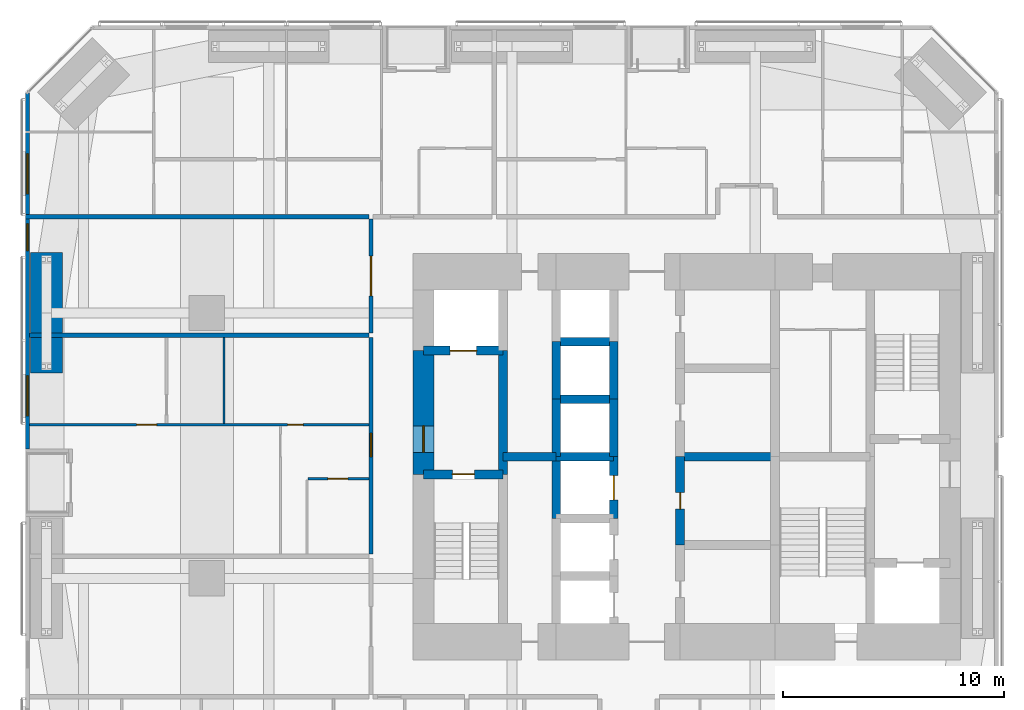
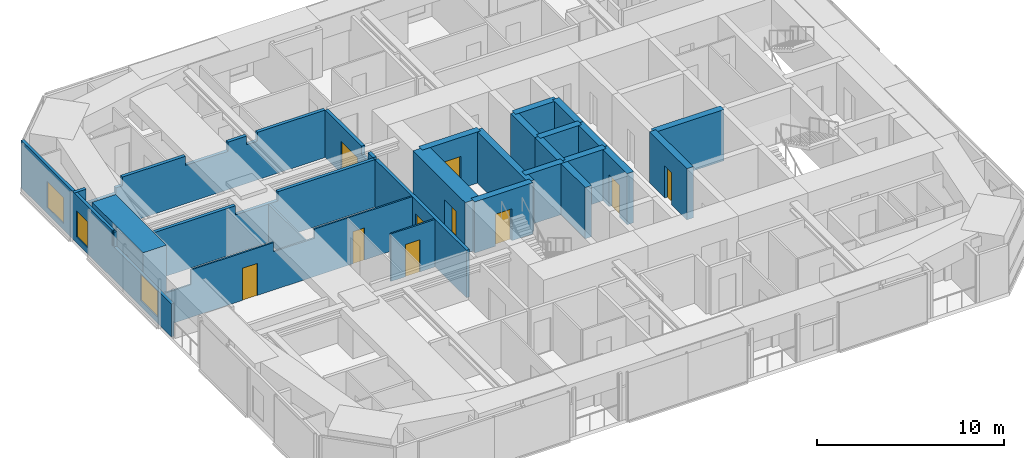
# One storey, part 18 of 23: 25 walls, 10 doors, 3 windows, 13 openings.
"""IFC4 building model written with IfcOpenShell, lengths in metres."""

from ifc_helpers import new_model, si_unit, direction, frame, frame_2d, origin, place, context, subcontext, project, spatial, polyline, rectangle, outline, extrude, material, layer, layer_set, constituent, constituent_set, type_object, element, fill, save


model = new_model("IFC4")

# Units and contexts
model_context = context("Model", 3, precision=1e-05, world=origin(), true_north=direction((0.0, 1.0)))
body_context = subcontext(model_context, "Body", "Model", "MODEL_VIEW")
ifc_project = project(units=[si_unit("LENGTHUNIT", "METRE"), si_unit("AREAUNIT", "SQUARE_METRE"), si_unit("VOLUMEUNIT", "CUBIC_METRE"), si_unit("PLANEANGLEUNIT", "RADIAN"), si_unit("MASSUNIT", "GRAM", prefix="KILO")], contexts=[model_context])

# Site, building, storey
site_placement = place(None, origin())
site = spatial("IfcSite", under=ifc_project, at=site_placement, CompositionType="ELEMENT")
building_placement = place(site_placement, origin())
building = spatial("IfcBuilding", under=site, at=building_placement, Name="Jalousie Tower", CompositionType="ELEMENT")
storey_placement = place(building_placement, frame((0.0, 0.0, 34.39990234375)))
storey = spatial("IfcBuildingStorey", under=building, at=storey_placement, Name="L08", CompositionType="ELEMENT", Elevation=34.39990234375)

# Walls
ifc_material_1 = material(Name="Concrete f'c 120 MPa", Category="concrete")
ifc_layer_1 = layer(ifc_material_1, 0.39990234375)
ifc_layer_set_1 = layer_set([ifc_layer_1], Name="Concrete f'c 120 MPa")
wall_type_1 = type_object("IfcWallType", Name="CORE WALL 400", PredefinedType="SHEAR", material=ifc_layer_set_1)
wall_1_placement = place(storey_placement, frame((23.60009765625, 17.699951171875, 0.0), z_axis=(0.0, 0.0, 1.0), x_axis=(0.0, 1.0, 0.0)))
element("IfcWall", 1, at=wall_1_placement, inside=storey, type_object=wall_type_1, Name="Core wall X23.6B L08", PredefinedType="SHEAR", context=body_context, shape_type="SweptSolid", body=[
    extrude(rectangle(XDim=5.60009765625, YDim=0.39990234375, at=frame_2d((2.800048828125, 0.0))), origin(), (0.0, 0.0, 1.0), 3.35009765625),
])
wall_2_placement = place(storey_placement, frame((26.0, 15.699951171875, 0.0), z_axis=(0.0, 0.0, 1.0), x_axis=(0.0, 1.0, 0.0)))
element("IfcWall", 2, at=wall_2_placement, inside=storey, type_object=wall_type_1, Name="Core wall X26C L08", PredefinedType="SHEAR", context=body_context, shape_type="SweptSolid", body=[
    extrude(rectangle(XDim=2.800048828125, YDim=0.39990234375, at=frame_2d((1.39990234375, 0.0))), origin(), (0.0, 0.0, 1.0), 3.35009765625),
])
wall_3_placement = place(storey_placement, frame((26.0, 18.5, 0.0), z_axis=(0.0, 0.0, 1.0), x_axis=(0.0, 1.0, 0.0)))
element("IfcWall", 3, at=wall_3_placement, inside=storey, type_object=wall_type_1, Name="Core wall X26D L08", PredefinedType="SHEAR", context=body_context, shape_type="SweptSolid", body=[
    extrude(rectangle(XDim=2.60009765625, YDim=0.39990234375, at=frame_2d((1.300048828125, 0.0))), origin(), (0.0, 0.0, 1.0), 3.35009765625),
])
wall_4_placement = place(storey_placement, frame((26.0, 21.10009765625, 0.0), z_axis=(0.0, 0.0, 1.0), x_axis=(0.0, 1.0, 0.0)))
element("IfcWall", 4, at=wall_4_placement, inside=storey, type_object=wall_type_1, Name="Core wall X26E L08", PredefinedType="SHEAR", context=body_context, shape_type="SweptSolid", body=[
    extrude(rectangle(XDim=2.599853515625, YDim=0.39990234375, at=frame_2d((1.2998046875, 0.0))), origin(), (0.0, 0.0, 1.0), 3.35009765625),
])

# Wall, opening, door
wall_5_placement = place(storey_placement, frame((28.60009765625, 15.699951171875, 0.0), z_axis=(0.0, 0.0, 1.0), x_axis=(0.0, 1.0, 0.0)))
wall_5 = element("IfcWall", 5, at=wall_5_placement, inside=storey, type_object=wall_type_1, Name="Core wall X28.6C L08", PredefinedType="SHEAR", context=body_context, shape_type="SweptSolid", body=[
    extrude(rectangle(XDim=2.800048828125, YDim=0.39990234375, at=frame_2d((1.39990234375, 0.0))), origin(), (0.0, 0.0, 1.0), 3.35009765625),
])
opening_1_placement = place(wall_5_placement, frame((0.85009765625, 0.0, 0.0)))
opening_1 = element("IfcOpeningElement", 6, at=opening_1_placement, cuts=wall_5, Name="Opening LD1", PredefinedType="OPENING", context=body_context, shape_type="SweptSolid", body=[
    extrude(rectangle(XDim=1.10009765625, YDim=2.10009765625, at=frame_2d((0.550048828125, 1.050048828125))), frame((0.0, 0.2099609375, 0.0), z_axis=(0.0, -1.0, 0.0), x_axis=(1.0, 0.0, 0.0)), (0.0, 0.0, 1.0), 0.419921875),
])
ifc_material_2 = material(Name="Steel lift landing door", Category="steel")
door_type_1 = type_object("IfcDoorType", Name="LIFT LANDING DOOR 1100", OperationType="SLIDING_TO_LEFT", PredefinedType="DOOR", material=ifc_material_2)
door_1_placement = place(opening_1_placement, origin())
door_1 = element("IfcDoor", 7, at=door_1_placement, inside=storey, type_object=door_type_1, Name="Lift P3 landing door", OperationType="SLIDING_TO_LEFT", OverallHeight=2.10009765625, OverallWidth=1.10009765625, PredefinedType="DOOR", context=body_context, shape_type="SweptSolid", body=[
    extrude(rectangle(XDim=1.10009765625, YDim=2.10009765625, at=frame_2d((0.550048828125, 1.050048828125))), frame((0.0, 0.02490234375, 0.0), z_axis=(0.0, -1.0, 0.0), x_axis=(1.0, 0.0, 0.0)), (0.0, 0.0, 1.0), 0.050048828125),
])
fill(opening_1, door_1)

# Walls
wall_6_placement = place(storey_placement, frame((28.60009765625, 18.5, 0.0), z_axis=(0.0, 0.0, 1.0), x_axis=(0.0, 1.0, 0.0)))
element("IfcWall", 8, at=wall_6_placement, inside=storey, type_object=wall_type_1, Name="Core wall X28.6D L08", PredefinedType="SHEAR", context=body_context, shape_type="SweptSolid", body=[
    extrude(rectangle(XDim=2.60009765625, YDim=0.39990234375, at=frame_2d((1.300048828125, 0.0))), origin(), (0.0, 0.0, 1.0), 3.35009765625),
])
wall_7_placement = place(storey_placement, frame((28.60009765625, 21.10009765625, 0.0), z_axis=(0.0, 0.0, 1.0), x_axis=(0.0, 1.0, 0.0)))
element("IfcWall", 9, at=wall_7_placement, inside=storey, type_object=wall_type_1, Name="Core wall X28.6E L08", PredefinedType="SHEAR", context=body_context, shape_type="SweptSolid", body=[
    extrude(rectangle(XDim=2.599853515625, YDim=0.39990234375, at=frame_2d((1.2998046875, 0.0))), origin(), (0.0, 0.0, 1.0), 3.35009765625),
])

# Wall, opening, door
wall_8_placement = place(storey_placement, frame((31.60009765625, 14.5, 0.0), z_axis=(0.0, 0.0, 1.0), x_axis=(0.0, 1.0, 0.0)))
wall_8 = element("IfcWall", 10, at=wall_8_placement, inside=storey, type_object=wall_type_1, Name="Core wall X31.6B L08", PredefinedType="SHEAR", context=body_context, shape_type="SweptSolid", body=[
    extrude(rectangle(XDim=4.0, YDim=0.39990234375, at=frame_2d((2.0, 0.0))), origin(), (0.0, 0.0, 1.0), 3.35009765625),
])
opening_2_placement = place(wall_8_placement, frame((1.625, 0.0, 0.0)))
opening_2 = element("IfcOpeningElement", 11, at=opening_2_placement, cuts=wall_8, Name="Opening D16", PredefinedType="OPENING", context=body_context, shape_type="SweptSolid", body=[
    extrude(rectangle(XDim=0.75, YDim=2.10009765625, at=frame_2d((0.375, 1.050048828125))), frame((0.0, 0.2099609375, 0.0), z_axis=(0.0, -1.0, 0.0), x_axis=(1.0, 0.0, 0.0)), (0.0, 0.0, 1.0), 0.419921875),
])
ifc_material_3 = material(Name="Steel fire door", Category="steel")
door_type_2 = type_object("IfcDoorType", Name="RISER DOOR 750", OperationType="SINGLE_SWING_LEFT", PredefinedType="DOOR", material=ifc_material_3)
door_2_placement = place(opening_2_placement, frame((0.75, 0.0, 0.0), z_axis=(0.0, 0.0, 1.0), x_axis=(-1.0, 0.0, 0.0)))
door_2 = element("IfcDoor", 12, at=door_2_placement, inside=storey, type_object=door_type_2, Name="Electrical Room door", OperationType="SINGLE_SWING_LEFT", OverallHeight=2.10009765625, OverallWidth=0.75, PredefinedType="DOOR", context=body_context, shape_type="SweptSolid", body=[
    extrude(rectangle(XDim=0.75, YDim=2.10009765625, at=frame_2d((0.375, 1.050048828125))), frame((0.0, 0.02490234375, 0.0), z_axis=(0.0, -1.0, 0.0), x_axis=(1.0, 0.0, 0.0)), (0.0, 0.0, 1.0), 0.050048828125),
])
fill(opening_2, door_2)

wall_9_placement = place(storey_placement, frame((20.0, 17.699951171875, 0.0), z_axis=(0.0, 0.0, 1.0), x_axis=(1.0, 0.0, 0.0)))
wall_9 = element("IfcWall", 13, at=wall_9_placement, inside=storey, type_object=wall_type_1, Name="Core wall Y20-17.7 L08", PredefinedType="SHEAR", context=body_context, shape_type="SweptSolid", body=[
    extrude(rectangle(XDim=3.60009765625, YDim=0.39990234375, at=frame_2d((1.800048828125, 0.0))), origin(), (0.0, 0.0, 1.0), 3.35009765625),
])
opening_3_placement = place(wall_9_placement, frame((1.300048828125, 0.0, 0.0)))
opening_3 = element("IfcOpeningElement", 14, at=opening_3_placement, cuts=wall_9, Name="Opening D10", PredefinedType="OPENING", context=body_context, shape_type="SweptSolid", body=[
    extrude(rectangle(XDim=1.0, YDim=2.10009765625, at=frame_2d((0.5, 1.050048828125))), frame((0.0, 0.2099609375, 0.0), z_axis=(0.0, -1.0, 0.0), x_axis=(1.0, 0.0, 0.0)), (0.0, 0.0, 1.0), 0.419921875),
])
ifc_material_4 = material(Name="Steel fire door", Category="steel")
door_type_3 = type_object("IfcDoorType", Name="STAIR DOOR 1000", OperationType="SINGLE_SWING_LEFT", PredefinedType="DOOR", material=ifc_material_4)
door_3_placement = place(opening_3_placement, frame((1.0, 0.0, 0.0), z_axis=(0.0, 0.0, 1.0), x_axis=(-1.0, 0.0, 0.0)))
door_3 = element("IfcDoor", 15, at=door_3_placement, inside=storey, type_object=door_type_3, Name="Exit stair A door", OperationType="SINGLE_SWING_RIGHT", OverallHeight=2.10009765625, OverallWidth=1.0, PredefinedType="DOOR", context=body_context, shape_type="SweptSolid", body=[
    extrude(rectangle(XDim=1.0, YDim=2.10009765625, at=frame_2d((0.5, 1.050048828125))), frame((0.0, 0.02490234375, 0.0), z_axis=(0.0, -1.0, 0.0), x_axis=(1.0, 0.0, 0.0)), (0.0, 0.0, 1.0), 0.050048828125),
])
fill(opening_3, door_3)

wall_10_placement = place(storey_placement, frame((20.0, 23.300048828125, 0.0), z_axis=(0.0, 0.0, 1.0), x_axis=(1.0, 0.0, 0.0)))
wall_10 = element("IfcWall", 16, at=wall_10_placement, inside=storey, type_object=wall_type_1, Name="Core wall Y20-23.3 L08", PredefinedType="SHEAR", context=body_context, shape_type="SweptSolid", body=[
    extrude(rectangle(XDim=3.60009765625, YDim=0.39990234375, at=frame_2d((1.800048828125, 0.0))), origin(), (0.0, 0.0, 1.0), 3.35009765625),
])
opening_4_placement = place(wall_10_placement, frame((1.199951171875, 0.0, 0.0)))
opening_4 = element("IfcOpeningElement", 17, at=opening_4_placement, cuts=wall_10, Name="Opening LD2", PredefinedType="OPENING", context=body_context, shape_type="SweptSolid", body=[
    extrude(rectangle(XDim=1.199951171875, YDim=2.10009765625, at=frame_2d((0.60009765625, 1.050048828125))), frame((0.0, 0.2099609375, 0.0), z_axis=(0.0, -1.0, 0.0), x_axis=(1.0, 0.0, 0.0)), (0.0, 0.0, 1.0), 0.419921875),
])
ifc_material_5 = material(Name="Steel lift landing door", Category="steel")
door_type_4 = type_object("IfcDoorType", Name="LIFT LANDING DOOR 1200", OperationType="SLIDING_TO_LEFT", PredefinedType="DOOR", material=ifc_material_5)
door_4_placement = place(opening_4_placement, origin())
door_4 = element("IfcDoor", 18, at=door_4_placement, inside=storey, type_object=door_type_4, Name="Lift F1 landing door", OperationType="SLIDING_TO_LEFT", OverallHeight=2.10009765625, OverallWidth=1.199951171875, PredefinedType="DOOR", context=body_context, shape_type="SweptSolid", body=[
    extrude(rectangle(XDim=1.199951171875, YDim=2.10009765625, at=frame_2d((0.60009765625, 1.050048828125))), frame((0.0, 0.02490234375, 0.0), z_axis=(0.0, -1.0, 0.0), x_axis=(1.0, 0.0, 0.0)), (0.0, 0.0, 1.0), 0.050048828125),
])
fill(opening_4, door_4)

# Walls
wall_11_placement = place(storey_placement, frame((23.60009765625, 18.5, 0.0), z_axis=(0.0, 0.0, 1.0), x_axis=(1.0, 0.0, 0.0)))
element("IfcWall", 19, at=wall_11_placement, inside=storey, type_object=wall_type_1, Name="Core wall Y23.6-18.5 L08", PredefinedType="SHEAR", context=body_context, shape_type="SweptSolid", body=[
    extrude(rectangle(XDim=2.39990234375, YDim=0.39990234375, at=frame_2d((1.199951171875, 0.0))), origin(), (0.0, 0.0, 1.0), 3.35009765625),
])
for number, where, z_axis, x_axis, name in (
    (20, (26.0, 18.5, 0.0), (0.0, 0.0, 1.0), (1.0, 0.0, 0.0), "Core wall Y26-18.5 L08"),
    (21, (26.0, 21.10009765625, 0.0), (0.0, 0.0, 1.0), (1.0, 0.0, 0.0), "Core wall Y26-21.1 L08"),
    (22, (26.0, 23.699951171875, 0.0), (0.0, 0.0, 1.0), (1.0, 0.0, 0.0), "Core wall Y26-23.7 L08"),
):
    element("IfcWall", number, at=place(storey_placement, frame(where, z_axis=z_axis, x_axis=x_axis)), inside=storey, type_object=wall_type_1, Name=name, PredefinedType="SHEAR", context=body_context, shape_type="SweptSolid", body=[
        extrude(rectangle(XDim=2.60009765625, YDim=0.39990234375, at=frame_2d((1.300048828125, 0.0))), origin(), (0.0, 0.0, 1.0), 3.35009765625),
    ])
wall_12_placement = place(storey_placement, frame((31.60009765625, 18.5, 0.0), z_axis=(0.0, 0.0, 1.0), x_axis=(1.0, 0.0, 0.0)))
element("IfcWall", 23, at=wall_12_placement, inside=storey, type_object=wall_type_1, Name="Core wall Y31.6-18.5 L08", PredefinedType="SHEAR", context=body_context, shape_type="SweptSolid", body=[
    extrude(rectangle(XDim=4.2998046875, YDim=0.39990234375, at=frame_2d((2.14990234375, 0.0))), origin(), (0.0, 0.0, 1.0), 3.35009765625),
])

# Wall, opening, door
ifc_material_6 = material(Name="Concrete f'c 120 MPa", Category="concrete")
ifc_layer_2 = layer(ifc_material_6, 0.949951171875)
ifc_layer_set_2 = layer_set([ifc_layer_2], Name="Concrete f'c 120 MPa")
wall_type_2 = type_object("IfcWallType", Name="CORE WALL 950", PredefinedType="SHEAR", material=ifc_layer_set_2)
wall_13_placement = place(storey_placement, frame((20.0, 23.300048828125, 0.0), z_axis=(0.0, 0.0, 1.0), x_axis=(0.0, -1.0, 0.0)))
wall_13 = element("IfcWall", 24, at=wall_13_placement, inside=storey, type_object=wall_type_2, Name="Core wall WB L08", PredefinedType="SHEAR", context=body_context, shape_type="SweptSolid", body=[
    extrude(rectangle(XDim=5.60009765625, YDim=0.949951171875, at=frame_2d((2.800048828125, 0.0))), origin(), (0.0, 0.0, 1.0), 3.35009765625),
])
opening_5_placement = place(wall_13_placement, frame((3.39990234375, 0.0, 0.0)))
opening_5 = element("IfcOpeningElement", 25, at=opening_5_placement, cuts=wall_13, Name="Opening D11", PredefinedType="OPENING", context=body_context, shape_type="SweptSolid", body=[
    extrude(rectangle(XDim=1.199951171875, YDim=2.199951171875, at=frame_2d((0.60009765625, 1.10009765625))), frame((0.0, 0.48486328125, 0.0), z_axis=(0.0, -1.0, 0.0), x_axis=(1.0, 0.0, 0.0)), (0.0, 0.0, 1.0), 0.969970703125),
])
ifc_material_7 = material(Name="Steel fire door", Category="steel")
door_type_5 = type_object("IfcDoorType", Name="FIRE DOOR 1200", OperationType="SINGLE_SWING_LEFT", PredefinedType="DOOR", material=ifc_material_7)
door_5_placement = place(opening_5_placement, origin())
door_5 = element("IfcDoor", 26, at=door_5_placement, inside=storey, type_object=door_type_5, Name="Fire-fighting lobby A door", OperationType="SINGLE_SWING_RIGHT", OverallHeight=2.199951171875, OverallWidth=1.199951171875, PredefinedType="DOOR", context=body_context, shape_type="SweptSolid", body=[
    extrude(rectangle(XDim=1.199951171875, YDim=2.199951171875, at=frame_2d((0.60009765625, 1.10009765625))), frame((0.0, 0.02490234375, 0.0), z_axis=(0.0, -1.0, 0.0), x_axis=(1.0, 0.0, 0.0)), (0.0, 0.0, 1.0), 0.050048828125),
])
fill(opening_5, door_5)

ifc_material_8 = material(Name="Concrete block ASTM C90", Category="concrete")
ifc_constituent_1 = constituent(ifc_material_8, Name="Body")
ifc_material_9 = material(Name="Render")
ifc_constituent_2 = constituent(ifc_material_9, Name="Finish")
ifc_constituent_set_1 = constituent_set(constituents=[ifc_constituent_1, ifc_constituent_2])
wall_type_3 = type_object("IfcWallType", Name="CORRIDOR WALL 200", PredefinedType="PARTITIONING", material=ifc_constituent_set_1)
wall_14_placement = place(storey_placement, frame((17.625, 14.10009765625, 0.0), z_axis=(0.0, 0.0, 1.0), x_axis=(0.0, 1.0, 0.0)))
wall_14 = element("IfcWall", 27, at=wall_14_placement, inside=storey, type_object=wall_type_3, Name="Corridor Wall 200 L08", PredefinedType="PARTITIONING", context=body_context, shape_type="SweptSolid", body=[
    extrude(rectangle(XDim=9.7998046875, YDim=0.199951171875, at=frame_2d((4.89990234375, 0.0))), origin(), (0.0, 0.0, 1.0), 3.110107421875),
])
opening_6_placement = place(wall_14_placement, frame((4.39990234375, 0.0, 0.0)))
opening_6 = element("IfcOpeningElement", 28, at=opening_6_placement, cuts=wall_14, Name="Opening D1", PredefinedType="OPENING", context=body_context, shape_type="SweptSolid", body=[
    extrude(rectangle(XDim=1.050048828125, YDim=2.199951171875, at=frame_2d((0.52490234375, 1.10009765625))), frame((0.0, 0.10986328125, 0.0), z_axis=(0.0, -1.0, 0.0), x_axis=(1.0, 0.0, 0.0)), (0.0, 0.0, 1.0), 0.219970703125),
])
ifc_material_10 = material(Name="Timber fire door", Category="wood")
door_type_6 = type_object("IfcDoorType", Name="APARTMENT ENTRANCE DOOR 1050", OperationType="SINGLE_SWING_LEFT", PredefinedType="DOOR", material=ifc_material_10)
door_6_placement = place(opening_6_placement, origin())
door_6 = element("IfcDoor", 29, at=door_6_placement, inside=storey, type_object=door_type_6, Name="Apartment 0806 entrance", OperationType="SINGLE_SWING_RIGHT", OverallHeight=2.199951171875, OverallWidth=1.050048828125, PredefinedType="DOOR", context=body_context, shape_type="SweptSolid", body=[
    extrude(rectangle(XDim=1.050048828125, YDim=2.199951171875, at=frame_2d((0.52490234375, 1.10009765625))), frame((0.0, 0.02490234375, 0.0), z_axis=(0.0, -1.0, 0.0), x_axis=(1.0, 0.0, 0.0)), (0.0, 0.0, 1.0), 0.050048828125),
])
fill(opening_6, door_6)

wall_15_placement = place(storey_placement, frame((17.625, 24.10009765625, 0.0), z_axis=(0.0, 0.0, 1.0), x_axis=(0.0, 1.0, 0.0)))
wall_15 = element("IfcWall", 30, at=wall_15_placement, inside=storey, type_object=wall_type_3, Name="Corridor Wall 200 L08", PredefinedType="PARTITIONING", context=body_context, shape_type="SweptSolid", body=[
    extrude(outline(polyline([(0.0, 0.0), (5.14990234375, 0.0), (5.14990234375, 3.110107421875), (1.2373046875, 3.110107421875), (1.2373046875, 2.541015625), (0.5625, 2.541015625), (0.5625, 3.110107421875), (0.0, 3.110107421875), (0.0, 0.0)])), frame((0.0, 0.10009765625, 0.0), z_axis=(0.0, -1.0, 0.0), x_axis=(1.0, 0.0, 0.0)), (0.0, 0.0, 1.0), 0.199951171875),
])
opening_7_placement = place(wall_15_placement, frame((1.675048828125, 0.0, 0.0)))
opening_7 = element("IfcOpeningElement", 31, at=opening_7_placement, cuts=wall_15, Name="Opening D22", PredefinedType="OPENING", context=body_context, shape_type="SweptSolid", body=[
    extrude(rectangle(XDim=1.800048828125, YDim=2.10009765625, at=frame_2d((0.89990234375, 1.050048828125))), frame((0.0, 0.10986328125, 0.0), z_axis=(0.0, -1.0, 0.0), x_axis=(1.0, 0.0, 0.0)), (0.0, 0.0, 1.0), 0.219970703125),
])
ifc_material_11 = material(Name="Timber fire door", Category="wood")
door_type_7 = type_object("IfcDoorType", Name="CORRIDOR DOUBLE DOOR 1800", OperationType="DOUBLE_DOOR_SINGLE_SWING", PredefinedType="DOOR", material=ifc_material_11)
door_7_placement = place(opening_7_placement, origin())
door_7 = element("IfcDoor", 32, at=door_7_placement, inside=storey, type_object=door_type_7, Name="Residents' library door", OperationType="DOUBLE_DOOR_SINGLE_SWING", OverallHeight=2.10009765625, OverallWidth=1.800048828125, PredefinedType="DOOR", context=body_context, shape_type="SweptSolid", body=[
    extrude(rectangle(XDim=1.800048828125, YDim=2.10009765625, at=frame_2d((0.89990234375, 1.050048828125))), frame((0.0, 0.02490234375, 0.0), z_axis=(0.0, -1.0, 0.0), x_axis=(1.0, 0.0, 0.0)), (0.0, 0.0, 1.0), 0.050048828125),
])
fill(opening_7, door_7)

# Wall, openings, windows
ifc_material_12 = material(Name="Concrete f'c 40 MPa", Category="concrete")
ifc_constituent_3 = constituent(ifc_material_12, Name="Body")
ifc_material_13 = material(Name="Render, pastel coral")
ifc_constituent_4 = constituent(ifc_material_13, Name="Finish")
ifc_constituent_set_2 = constituent_set(constituents=[ifc_constituent_3, ifc_constituent_4])
wall_type_4 = type_object("IfcWallType", Name="EXTERNAL WALL 175 CORAL RENDER", PredefinedType="SOLIDWALL", material=ifc_constituent_set_2)
wall_16_placement = place(storey_placement, frame((2.08740234375, 34.94873046875, 0.0), z_axis=(0.0, 0.0, 1.0), x_axis=(0.0, -1.0, 0.0)))
wall_16 = element("IfcWall", 33, at=wall_16_placement, inside=storey, type_object=wall_type_4, Name="External Wall 175 Coral Render L08", PredefinedType="SOLIDWALL", context=body_context, shape_type="SweptSolid", body=[
    extrude(outline(polyline([(0.0, 0.0), (16.0986328125, 0.0), (16.0986328125, 2.150146484375), (9.94873046875, 2.150146484375), (9.94873046875, 3.110107421875), (9.822998046875, 3.110107421875), (9.822998046875, 2.150146484375), (9.72998046875, 2.150146484375), (9.72998046875, 3.110107421875), (0.0, 3.110107421875), (0.0, 0.0)])), frame((0.0, 0.08740234375, 0.0), z_axis=(0.0, -1.0, 0.0), x_axis=(1.0, 0.0, 0.0)), (0.0, 0.0, 1.0), 0.175048828125),
])
opening_8_placement = place(wall_16_placement, frame((2.75732421875, 0.0, 0.39990234375)))
opening_8 = element("IfcOpeningElement", 34, at=opening_8_placement, cuts=wall_16, Name="Opening W-BED170", PredefinedType="OPENING", context=body_context, shape_type="SweptSolid", body=[
    extrude(rectangle(XDim=1.800048828125, YDim=1.699951171875, at=frame_2d((0.89990234375, 0.85009765625))), frame((0.0, 0.097412109375, 0.0), z_axis=(0.0, -1.0, 0.0), x_axis=(1.0, 0.0, 0.0)), (0.0, 0.0, 1.0), 0.195068359375),
])
opening_9_placement = place(wall_16_placement, frame((5.923583984375, 0.0, 0.39990234375)))
opening_9 = element("IfcOpeningElement", 35, at=opening_9_placement, cuts=wall_16, Name="Opening W-COR170", PredefinedType="OPENING", context=body_context, shape_type="SweptSolid", body=[
    extrude(rectangle(XDim=1.199951171875, YDim=1.699951171875, at=frame_2d((0.60009765625, 0.85009765625))), frame((0.0, 0.097412109375, 0.0), z_axis=(0.0, -1.0, 0.0), x_axis=(1.0, 0.0, 0.0)), (0.0, 0.0, 1.0), 0.195068359375),
])
opening_10_placement = place(wall_16_placement, frame((12.798583984375, 0.0, 0.39990234375)))
opening_10 = element("IfcOpeningElement", 36, at=opening_10_placement, cuts=wall_16, Name="Opening W-BED170", PredefinedType="OPENING", context=body_context, shape_type="SweptSolid", body=[
    extrude(rectangle(XDim=1.800048828125, YDim=1.699951171875, at=frame_2d((0.89990234375, 0.85009765625))), frame((0.0, 0.097412109375, 0.0), z_axis=(0.0, -1.0, 0.0), x_axis=(1.0, 0.0, 0.0)), (0.0, 0.0, 1.0), 0.195068359375),
])
ifc_material_14 = material(Name="Aluminium frame, impact-rated glazing", Category="aluminium")
window_type_1 = type_object("IfcWindowType", Name="WINDOW BED 1800x1700", PartitioningType="SINGLE_PANEL", PredefinedType="WINDOW", material=ifc_material_14)
window_1_placement = place(opening_8_placement, origin())
window_1 = element("IfcWindow", 37, at=window_1_placement, inside=storey, type_object=window_type_1, Name="Apartment 0804 bedroom 1 window", OverallHeight=1.699951171875, OverallWidth=1.800048828125, PartitioningType="SINGLE_PANEL", PredefinedType="WINDOW", context=body_context, shape_type="SweptSolid", body=[
    extrude(rectangle(XDim=1.800048828125, YDim=1.699951171875, at=frame_2d((0.89990234375, 0.85009765625))), frame((0.0, 0.030029296875, 0.0), z_axis=(0.0, -1.0, 0.0), x_axis=(1.0, 0.0, 0.0)), (0.0, 0.0, 1.0), 0.06005859375),
])
fill(opening_8, window_1)
window_2_placement = place(opening_10_placement, origin())
window_2 = element("IfcWindow", 38, at=window_2_placement, inside=storey, type_object=window_type_1, Name="Apartment 0806 bedroom 1 window", OverallHeight=1.699951171875, OverallWidth=1.800048828125, PartitioningType="SINGLE_PANEL", PredefinedType="WINDOW", context=body_context, shape_type="SweptSolid", body=[
    extrude(rectangle(XDim=1.800048828125, YDim=1.699951171875, at=frame_2d((0.89990234375, 0.85009765625))), frame((0.0, 0.030029296875, 0.0), z_axis=(0.0, -1.0, 0.0), x_axis=(1.0, 0.0, 0.0)), (0.0, 0.0, 1.0), 0.06005859375),
])
fill(opening_10, window_2)
ifc_material_15 = material(Name="Aluminium frame, impact-rated glazing", Category="aluminium")
window_type_2 = type_object("IfcWindowType", Name="WINDOW COR 1200x1700", PartitioningType="SINGLE_PANEL", PredefinedType="WINDOW", material=ifc_material_15)
window_3_placement = place(opening_9_placement, origin())
window_3 = element("IfcWindow", 39, at=window_3_placement, inside=storey, type_object=window_type_2, Name="Residents' library window", OverallHeight=1.699951171875, OverallWidth=1.199951171875, PartitioningType="SINGLE_PANEL", PredefinedType="WINDOW", context=body_context, shape_type="SweptSolid", body=[
    extrude(rectangle(XDim=1.199951171875, YDim=1.699951171875, at=frame_2d((0.60009765625, 0.85009765625))), frame((0.0, 0.030029296875, 0.0), z_axis=(0.0, -1.0, 0.0), x_axis=(1.0, 0.0, 0.0)), (0.0, 0.0, 1.0), 0.06005859375),
])
fill(opening_9, window_3)

# Wall, openings, doors
ifc_material_16 = material(Name="Gypsum board", Category="gypsum")
ifc_constituent_5 = constituent(ifc_material_16, Name="Body")
ifc_material_17 = material(Name="Light-gauge steel studs ASTM A653 SS Grade 33", Category="steel")
ifc_constituent_6 = constituent(ifc_material_17, Name="Framing")
ifc_constituent_set_3 = constituent_set(constituents=[ifc_constituent_5, ifc_constituent_6])
wall_type_5 = type_object("IfcWallType", Name="PARTITION 100", PredefinedType="PARTITIONING", material=ifc_constituent_set_3)
wall_17_placement = place(storey_placement, frame((2.175048828125, 19.949951171875, 0.0), z_axis=(0.0, 0.0, 1.0), x_axis=(1.0, 0.0, 0.0)))
wall_17 = element("IfcWall", 40, at=wall_17_placement, inside=storey, type_object=wall_type_5, Name="Partition 100 L08", PredefinedType="PARTITIONING", context=body_context, shape_type="SweptSolid", body=[
    extrude(outline(polyline([(0.0, 0.0), (15.349853515625, 0.0), (15.35009765625, 3.110107421875), (9.284912109375, 3.110107421875), (9.284912109375, 2.510009765625), (6.764892578125, 2.510009765625), (6.764892578125, 3.110107421875), (1.635009765625, 3.110107421875), (1.635009765625, 2.150146484375), (0.0, 2.150146484375), (0.0, 3.110107421875), (0.0, 0.0)])), frame((0.0, 0.050048828125, 0.0), z_axis=(0.0, -1.0, 0.0), x_axis=(1.0, 0.0, 0.0)), (0.0, 0.0, 1.0), 0.10009765625),
])
opening_11_placement = place(wall_17_placement, frame((4.85009765625, 0.0, 0.0)))
opening_11 = element("IfcOpeningElement", 41, at=opening_11_placement, cuts=wall_17, Name="Opening D2", PredefinedType="OPENING", context=body_context, shape_type="SweptSolid", body=[
    extrude(rectangle(XDim=0.89990234375, YDim=2.10009765625, at=frame_2d((0.449951171875, 1.050048828125))), frame((0.0, 0.06005859375, 0.0), z_axis=(0.0, -1.0, 0.0), x_axis=(1.0, 0.0, 0.0)), (0.0, 0.0, 1.0), 0.1201171875),
])
opening_12_placement = place(wall_17_placement, frame((11.675048828125, 0.0, 0.0)))
opening_12 = element("IfcOpeningElement", 42, at=opening_12_placement, cuts=wall_17, Name="Opening D4", PredefinedType="OPENING", context=body_context, shape_type="SweptSolid", body=[
    extrude(rectangle(XDim=0.699951171875, YDim=2.10009765625, at=frame_2d((0.35009765625, 1.050048828125))), frame((0.0, 0.06005859375, 0.0), z_axis=(0.0, -1.0, 0.0), x_axis=(1.0, 0.0, 0.0)), (0.0, 0.0, 1.0), 0.1201171875),
])
ifc_material_18 = material(Name="Timber door", Category="wood")
door_type_8 = type_object("IfcDoorType", Name="BEDROOM DOOR 900", OperationType="SINGLE_SWING_LEFT", PredefinedType="DOOR", material=ifc_material_18)
door_8_placement = place(opening_11_placement, origin())
door_8 = element("IfcDoor", 43, at=door_8_placement, inside=storey, type_object=door_type_8, Name="Apartment 0806 bedroom 1 door", OperationType="SINGLE_SWING_RIGHT", OverallHeight=2.10009765625, OverallWidth=0.89990234375, PredefinedType="DOOR", context=body_context, shape_type="SweptSolid", body=[
    extrude(rectangle(XDim=0.89990234375, YDim=2.10009765625, at=frame_2d((0.449951171875, 1.050048828125))), frame((0.0, 0.02490234375, 0.0), z_axis=(0.0, -1.0, 0.0), x_axis=(1.0, 0.0, 0.0)), (0.0, 0.0, 1.0), 0.050048828125),
])
fill(opening_11, door_8)
ifc_material_19 = material(Name="Timber door", Category="wood")
door_type_9 = type_object("IfcDoorType", Name="STORE DOOR 700", OperationType="SINGLE_SWING_LEFT", PredefinedType="DOOR", material=ifc_material_19)
door_9_placement = place(opening_12_placement, origin())
door_9 = element("IfcDoor", 44, at=door_9_placement, inside=storey, type_object=door_type_9, Name="Apartment 0806 store door", OperationType="SINGLE_SWING_LEFT", OverallHeight=2.10009765625, OverallWidth=0.699951171875, PredefinedType="DOOR", context=body_context, shape_type="SweptSolid", body=[
    extrude(rectangle(XDim=0.699951171875, YDim=2.10009765625, at=frame_2d((0.35009765625, 1.050048828125))), frame((0.0, 0.02490234375, 0.0), z_axis=(0.0, -1.0, 0.0), x_axis=(1.0, 0.0, 0.0)), (0.0, 0.0, 1.0), 0.050048828125),
])
fill(opening_12, door_9)

# Wall
wall_18_placement = place(storey_placement, frame((10.97509765625, 20.0, 0.0), z_axis=(0.0, 0.0, 1.0), x_axis=(0.0, 1.0, 0.0)))
element("IfcWall", 45, at=wall_18_placement, inside=storey, type_object=wall_type_5, Name="Partition 100 L08", PredefinedType="PARTITIONING", context=body_context, shape_type="SweptSolid", body=[
    extrude(outline(polyline([(0.0, 0.0), (3.89990234375, 0.0), (3.89990234375, 3.110107421875), (3.89990234375, 2.510009765625), (0.0, 2.510009765625), (0.0, 3.110107421875), (0.0, 0.0)])), frame((0.0, 0.050048828125, 0.0), z_axis=(0.0, -1.0, 0.0), x_axis=(1.0, 0.0, 0.0)), (0.0, 0.0, 1.0), 0.10009765625),
])

# Wall, opening, door
wall_19_placement = place(storey_placement, frame((14.77490234375, 17.5, 0.0), z_axis=(0.0, 0.0, 1.0), x_axis=(1.0, 0.0, 0.0)))
wall_19 = element("IfcWall", 46, at=wall_19_placement, inside=storey, type_object=wall_type_5, Name="Partition 100 L08", PredefinedType="PARTITIONING", context=body_context, shape_type="SweptSolid", body=[
    extrude(rectangle(XDim=2.75, YDim=0.10009765625, at=frame_2d((1.375, 0.0))), origin(), (0.0, 0.0, 1.0), 3.110107421875),
])
opening_13_placement = place(wall_19_placement, frame((0.89990234375, 0.0, 0.0)))
opening_13 = element("IfcOpeningElement", 47, at=opening_13_placement, cuts=wall_19, Name="Opening D7", PredefinedType="OPENING", context=body_context, shape_type="SweptSolid", body=[
    extrude(rectangle(XDim=0.89990234375, YDim=2.10009765625, at=frame_2d((0.449951171875, 1.050048828125))), frame((0.0, 0.06005859375, 0.0), z_axis=(0.0, -1.0, 0.0), x_axis=(1.0, 0.0, 0.0)), (0.0, 0.0, 1.0), 0.1201171875),
])
ifc_material_20 = material(Name="Timber door", Category="wood")
door_type_10 = type_object("IfcDoorType", Name="INTERNAL DOOR 900", OperationType="SINGLE_SWING_LEFT", PredefinedType="DOOR", material=ifc_material_20)
door_10_placement = place(opening_13_placement, frame((0.89990234375, 0.0, 0.0), z_axis=(0.0, 0.0, 1.0), x_axis=(-1.0, 0.0, 0.0)))
door_10 = element("IfcDoor", 48, at=door_10_placement, inside=storey, type_object=door_type_10, Name="Apartment 0806 kitchen door", OperationType="SINGLE_SWING_RIGHT", OverallHeight=2.10009765625, OverallWidth=0.89990234375, PredefinedType="DOOR", context=body_context, shape_type="SweptSolid", body=[
    extrude(rectangle(XDim=0.89990234375, YDim=2.10009765625, at=frame_2d((0.449951171875, 1.050048828125))), frame((0.0, 0.02490234375, 0.0), z_axis=(0.0, -1.0, 0.0), x_axis=(1.0, 0.0, 0.0)), (0.0, 0.0, 1.0), 0.050048828125),
])
fill(opening_13, door_10)

# Walls
ifc_material_21 = material(Name="Concrete block ASTM C90", Category="concrete")
ifc_constituent_7 = constituent(ifc_material_21, Name="Body")
ifc_material_22 = material(Name="Render")
ifc_constituent_8 = constituent(ifc_material_22, Name="Finish")
ifc_constituent_set_4 = constituent_set(constituents=[ifc_constituent_7, ifc_constituent_8])
wall_type_6 = type_object("IfcWallType", Name="PARTY WALL 200", PredefinedType="PARTITIONING", material=ifc_constituent_set_4)
wall_20_placement = place(storey_placement, frame((2.0, 29.35009765625, 0.0), z_axis=(0.0, 0.0, 1.0), x_axis=(1.0, 0.0, 0.0)))
element("IfcWall", 49, at=wall_20_placement, inside=storey, type_object=wall_type_6, Name="Party Wall 200 L08", PredefinedType="PARTITIONING", context=body_context, shape_type="SweptSolid", body=[
    extrude(outline(polyline([(0.0, 0.0), (15.52490234375, 0.0), (15.52490234375, 3.110107421875), (11.33740234375, 3.110107421875), (11.33740234375, 2.541015625), (10.66259765625, 2.541015625), (10.66259765625, 3.110107421875), (9.510009765625, 3.110107421875), (9.510009765625, 2.510009765625), (6.889892578125, 2.510009765625), (6.889892578125, 3.110107421875), (2.96875, 3.110107421875), (2.96875, 2.541015625), (2.577392578125, 2.541015625), (2.577392578125, 2.150146484375), (0.7333984375, 2.150146484375), (0.7333984375, 3.110107421875), (0.0, 3.110107421875), (0.0, 0.0)])), frame((0.0, 0.10009765625, 0.0), z_axis=(0.0, -1.0, 0.0), x_axis=(1.0, 0.0, 0.0)), (0.0, 0.0, 1.0), 0.199951171875),
])
wall_21_placement = place(storey_placement, frame((2.175048828125, 24.0, 0.0), z_axis=(0.0, 0.0, 1.0), x_axis=(1.0, 0.0, 0.0)))
element("IfcWall", 50, at=wall_21_placement, inside=storey, type_object=wall_type_6, Name="Party Wall 200 L08", PredefinedType="PARTITIONING", context=body_context, shape_type="SweptSolid", body=[
    extrude(outline(polyline([(0.52880859375, 2.150146484375), (0.0, 2.150146484375), (0.0, 0.0), (0.52880859375, 0.0), (0.52880859375, 0.8154296875), (1.021240234375, 0.8154296875), (1.021240234375, 0.0), (15.35009765625, 0.0), (15.35009765625, 3.110107421875), (9.3349609375, 3.110107421875), (9.3349609375, 2.510009765625), (6.715087890625, 2.510009765625), (6.715087890625, 3.110107421875), (1.68505859375, 3.110107421875), (1.68505859375, 2.150146484375), (1.021240234375, 2.150146484375), (1.021240234375, 1.334716796875), (0.52880859375, 1.334716796875), (0.52880859375, 2.150146484375)])), frame((0.0, 0.10009765625, 0.0), z_axis=(0.0, -1.0, 0.0), x_axis=(1.0, 0.0, 0.0)), (0.0, 0.0, 1.0), 0.199951171875),
])
ifc_material_23 = material(Name="Concrete f'c 120 MPa", Category="concrete")
ifc_layer_3 = layer(ifc_material_23, 1.449951171875)
ifc_layer_set_3 = layer_set([ifc_layer_3], Name="Concrete f'c 120 MPa")
wall_type_7 = type_object("IfcWallType", Name="RC WALL PIER 1450", PredefinedType="SHEAR", material=ifc_layer_set_3)
wall_22_placement = place(storey_placement, frame((2.949951171875, 22.27490234375, 0.0), z_axis=(0.0, 0.0, 1.0), x_axis=(0.0, 1.0, 0.0)))
element("IfcWall", 51, at=wall_22_placement, inside=storey, type_object=wall_type_7, Name="Wall pier 13 L08", PredefinedType="SHEAR", context=body_context, shape_type="SweptSolid", body=[
    extrude(rectangle(XDim=5.4501953125, YDim=1.449951171875, at=frame_2d((2.72509765625, 0.0))), origin(), (0.0, 0.0, 1.0), 3.35009765625),
])

save(model, "model.ifc")
